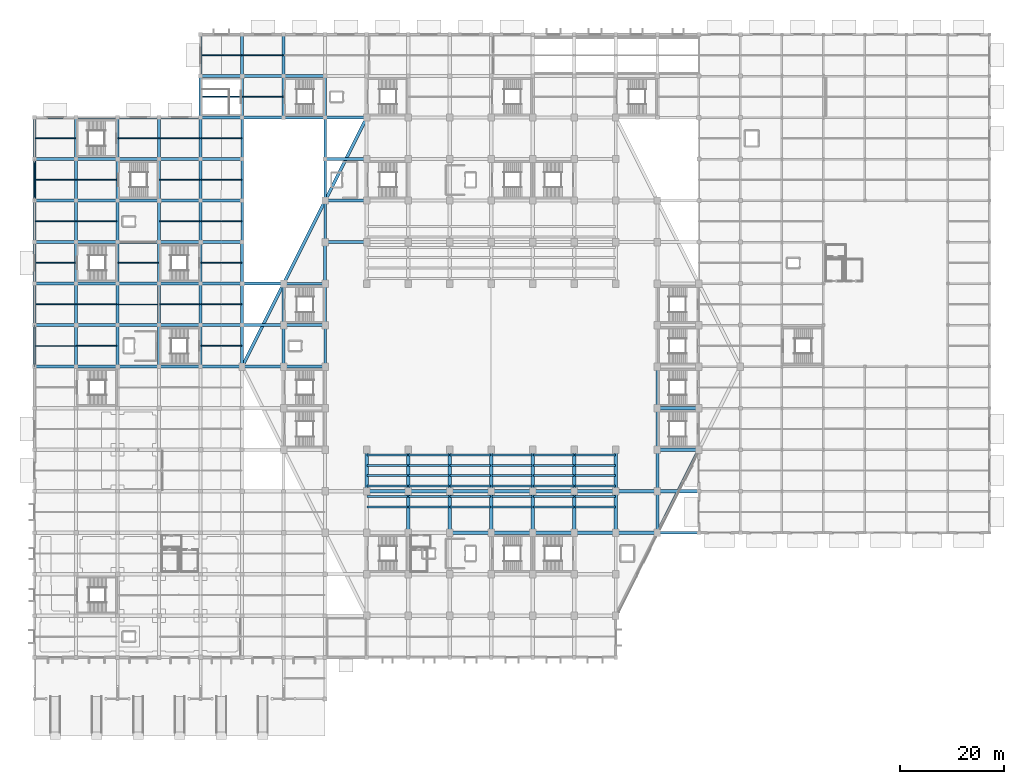
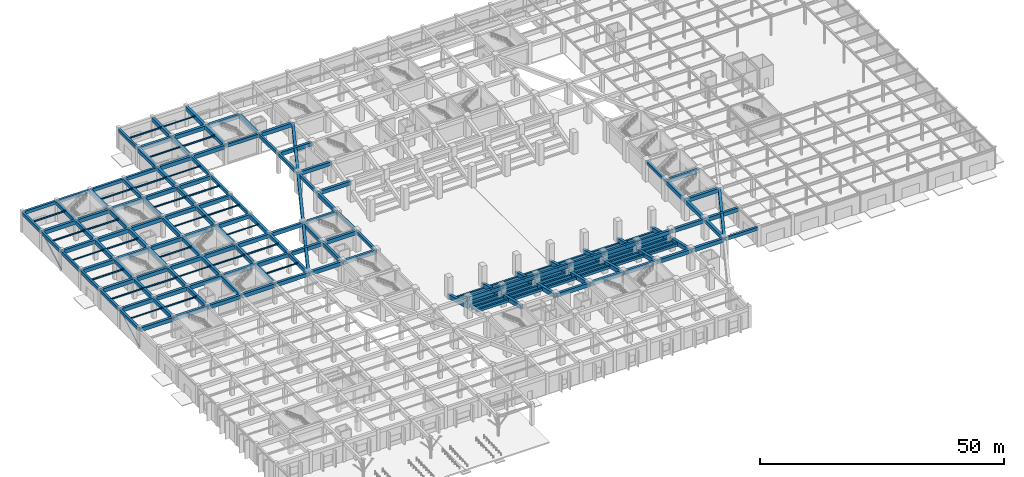
# One storey, part 12 of 39: 201 beams, 2 members.
"""IFC4 building model written with IfcOpenShell, lengths in metres."""

from ifc_helpers import new_model, si_unit, direction, frame, origin, origin_2d, place, context, subcontext, project, spatial, rectangle, hollow_rectangle, hollow_circle, i_section, extrude, material, material_profile, profile_set, type_object, element, save


model = new_model("IFC4")

# Units and contexts
model_context = context("Model", 3, precision=1e-05, world=origin(), true_north=direction((0.0, 1.0)))
body_context = subcontext(model_context, "Body", "Model", "MODEL_VIEW")
ifc_project = project(units=[si_unit("LENGTHUNIT", "METRE"), si_unit("AREAUNIT", "SQUARE_METRE"), si_unit("VOLUMEUNIT", "CUBIC_METRE"), si_unit("PLANEANGLEUNIT", "RADIAN"), si_unit("MASSUNIT", "GRAM", prefix="KILO")], contexts=[model_context])

# Site, building, storey
site_placement = place(None, origin())
site = spatial("IfcSite", under=ifc_project, at=site_placement, CompositionType="ELEMENT")
building_placement = place(site_placement, origin())
building = spatial("IfcBuilding", under=site, at=building_placement, Name="Tazarka Park Arena", CompositionType="ELEMENT")
storey_placement = place(building_placement, origin())
storey = spatial("IfcBuildingStorey", under=building, at=storey_placement, Name="L00", CompositionType="ELEMENT", Elevation=0.0)

# Beams
ifc_material_1 = material(Name="Concrete C40/50", Category="concrete")
ifc_material_profile_1 = material_profile(ifc_material_1, rectangle(XDim=0.60009765625, YDim=0.949951171875, at=origin_2d()), Name="Concrete C40/50")
ifc_profile_set_1 = profile_set([ifc_material_profile_1], Name="Concrete C40/50")
beam_type_1 = type_object("IfcBeamType", Name="BM-B-03", PredefinedType="BEAM", material=ifc_profile_set_1)
for number, where, z_axis, x_axis, name in (
    (1, (0.1201171875, 64.0, 4.544921875), (1.0, 0.0, 0.0), (0.0, 1.0, 0.0), "GXM-L00-00-08"),
    (2, (0.1201171875, 72.0, 4.544921875), (1.0, 0.0, 0.0), (0.0, 1.0, 0.0), "GXM-L00-00-09"),
    (3, (0.1201171875, 80.0, 4.544921875), (1.0, 0.0, 0.0), (0.0, 1.0, 0.0), "GXM-L00-00-10"),
    (4, (0.1201171875, 88.0, 4.544921875), (1.0, 0.0, 0.0), (0.0, 1.0, 0.0), "GXM-L00-00-11"),
    (5, (0.1201171875, 96.0, 4.544921875), (1.0, 0.0, 0.0), (0.0, 1.0, 0.0), "GXM-L00-00-12"),
    (6, (0.1201171875, 104.0, 4.544921875), (1.0, 0.0, 0.0), (0.0, 1.0, 0.0), "GXM-L00-00-13"),
    (7, (8.1201171875, 64.0, 4.544921875), (1.0, 0.0, 0.0), (0.0, 1.0, 0.0), "GXM-L00-01-08"),
    (8, (8.0, 64.1201171875, 4.544921875), (0.0, 1.0, 0.0), (-1.0, 0.0, 0.0), "GYM-L00-01-08"),
    (9, (8.1201171875, 72.0, 4.544921875), (1.0, 0.0, 0.0), (0.0, 1.0, 0.0), "GXM-L00-01-09"),
    (10, (8.0, 72.1201171875, 4.544921875), (0.0, 1.0, 0.0), (-1.0, 0.0, 0.0), "GYM-L00-01-09"),
    (11, (8.1201171875, 80.0, 4.544921875), (1.0, 0.0, 0.0), (0.0, 1.0, 0.0), "GXM-L00-01-10"),
    (12, (8.0, 80.1201171875, 4.544921875), (0.0, 1.0, 0.0), (-1.0, 0.0, 0.0), "GYM-L00-01-10"),
    (13, (8.1201171875, 88.0, 4.544921875), (1.0, 0.0, 0.0), (0.0, 1.0, 0.0), "GXM-L00-01-11"),
    (14, (8.0, 88.1201171875, 4.544921875), (0.0, 1.0, 0.0), (-1.0, 0.0, 0.0), "GYM-L00-01-11"),
    (15, (8.1201171875, 96.0, 4.544921875), (1.0, 0.0, 0.0), (0.0, 1.0, 0.0), "GXM-L00-01-12"),
    (16, (8.0, 96.1201171875, 4.544921875), (0.0, 1.0, 0.0), (-1.0, 0.0, 0.0), "GYM-L00-01-12"),
    (17, (8.1201171875, 104.0, 4.544921875), (1.0, 0.0, 0.0), (0.0, 1.0, 0.0), "GXM-L00-01-13"),
    (18, (8.0, 104.1201171875, 4.544921875), (0.0, 1.0, 0.0), (-1.0, 0.0, 0.0), "GYM-L00-01-13"),
    (19, (16.1201171875, 64.0, 4.544921875), (1.0, 0.0, 0.0), (0.0, 1.0, 0.0), "GXM-L00-02-08"),
    (20, (16.0, 64.1201171875, 4.544921875), (0.0, 1.0, 0.0), (-1.0, 0.0, 0.0), "GYM-L00-02-08"),
    (21, (16.1201171875, 72.0, 4.544921875), (1.0, 0.0, 0.0), (0.0, 1.0, 0.0), "GXM-L00-02-09"),
    (22, (16.0, 72.1201171875, 4.544921875), (0.0, 1.0, 0.0), (-1.0, 0.0, 0.0), "GYM-L00-02-09"),
    (23, (16.1201171875, 80.0, 4.544921875), (1.0, 0.0, 0.0), (0.0, 1.0, 0.0), "GXM-L00-02-10"),
    (24, (16.0, 80.1201171875, 4.544921875), (0.0, 1.0, 0.0), (-1.0, 0.0, 0.0), "GYM-L00-02-10"),
    (25, (16.1201171875, 88.0, 4.544921875), (1.0, 0.0, 0.0), (0.0, 1.0, 0.0), "GXM-L00-02-11"),
    (26, (16.0, 88.1201171875, 4.544921875), (0.0, 1.0, 0.0), (-1.0, 0.0, 0.0), "GYM-L00-02-11"),
    (27, (16.1201171875, 96.0, 4.544921875), (1.0, 0.0, 0.0), (0.0, 1.0, 0.0), "GXM-L00-02-12"),
    (28, (16.0, 96.1201171875, 4.544921875), (0.0, 1.0, 0.0), (-1.0, 0.0, 0.0), "GYM-L00-02-12"),
    (29, (16.1201171875, 104.0, 4.544921875), (1.0, 0.0, 0.0), (0.0, 1.0, 0.0), "GXM-L00-02-13"),
    (30, (16.0, 104.1201171875, 4.544921875), (0.0, 1.0, 0.0), (-1.0, 0.0, 0.0), "GYM-L00-02-13"),
    (31, (24.1201171875, 64.0, 4.544921875), (1.0, 0.0, 0.0), (0.0, 1.0, 0.0), "GXM-L00-03-08"),
    (32, (24.0, 64.1201171875, 4.544921875), (0.0, 1.0, 0.0), (-1.0, 0.0, 0.0), "GYM-L00-03-08"),
    (33, (24.1201171875, 72.0, 4.544921875), (1.0, 0.0, 0.0), (0.0, 1.0, 0.0), "GXM-L00-03-09"),
    (34, (24.0, 72.1201171875, 4.544921875), (0.0, 1.0, 0.0), (-1.0, 0.0, 0.0), "GYM-L00-03-09"),
    (35, (24.1201171875, 80.0, 4.544921875), (1.0, 0.0, 0.0), (0.0, 1.0, 0.0), "GXM-L00-03-10"),
    (36, (24.0, 80.1201171875, 4.544921875), (0.0, 1.0, 0.0), (-1.0, 0.0, 0.0), "GYM-L00-03-10"),
    (37, (24.1201171875, 88.0, 4.544921875), (1.0, 0.0, 0.0), (0.0, 1.0, 0.0), "GXM-L00-03-11"),
    (38, (24.0, 88.1201171875, 4.544921875), (0.0, 1.0, 0.0), (-1.0, 0.0, 0.0), "GYM-L00-03-11"),
    (39, (24.1201171875, 96.0, 4.544921875), (1.0, 0.0, 0.0), (0.0, 1.0, 0.0), "GXM-L00-03-12"),
    (40, (24.0, 96.1201171875, 4.544921875), (0.0, 1.0, 0.0), (-1.0, 0.0, 0.0), "GYM-L00-03-12"),
    (41, (24.1201171875, 104.0, 4.544921875), (1.0, 0.0, 0.0), (0.0, 1.0, 0.0), "GXM-L00-03-13"),
    (42, (24.0, 104.1201171875, 4.544921875), (0.0, 1.0, 0.0), (-1.0, 0.0, 0.0), "GYM-L00-03-13"),
    (43, (32.1201171875, 64.0, 4.544921875), (1.0, 0.0, 0.0), (0.0, 1.0, 0.0), "GXM-L00-04-08"),
    (44, (32.0, 64.1201171875, 4.544921875), (0.0, 1.0, 0.0), (-1.0, 0.0, 0.0), "GYM-L00-04-08"),
    (45, (32.1201171875, 72.0, 4.544921875), (1.0, 0.0, 0.0), (0.0, 1.0, 0.0), "GXM-L00-04-09"),
    (46, (32.0, 72.1201171875, 4.544921875), (0.0, 1.0, 0.0), (-1.0, 0.0, 0.0), "GYM-L00-04-09"),
    (47, (32.1201171875, 80.0, 4.544921875), (1.0, 0.0, 0.0), (0.0, 1.0, 0.0), "GXM-L00-04-10"),
    (48, (32.0, 80.1201171875, 4.544921875), (0.0, 1.0, 0.0), (-1.0, 0.0, 0.0), "GYM-L00-04-10"),
    (49, (32.1201171875, 88.0, 4.544921875), (1.0, 0.0, 0.0), (0.0, 1.0, 0.0), "GXM-L00-04-11"),
    (50, (32.0, 88.1201171875, 4.544921875), (0.0, 1.0, 0.0), (-1.0, 0.0, 0.0), "GYM-L00-04-11"),
    (51, (32.1201171875, 96.0, 4.544921875), (1.0, 0.0, 0.0), (0.0, 1.0, 0.0), "GXM-L00-04-12"),
    (52, (32.0, 96.1201171875, 4.544921875), (0.0, 1.0, 0.0), (-1.0, 0.0, 0.0), "GYM-L00-04-12"),
    (53, (32.1201171875, 104.0, 4.544921875), (1.0, 0.0, 0.0), (0.0, 1.0, 0.0), "GXM-L00-04-13"),
    (54, (32.0, 104.1201171875, 4.544921875), (0.0, 1.0, 0.0), (-1.0, 0.0, 0.0), "GYM-L00-04-13"),
    (55, (32.1201171875, 112.0, 4.544921875), (1.0, 0.0, 0.0), (0.0, 1.0, 0.0), "GXM-L00-04-14"),
    (56, (32.0, 112.1201171875, 4.544921875), (0.0, 1.0, 0.0), (-1.0, 0.0, 0.0), "GYM-L00-04-14"),
    (57, (32.1201171875, 120.0, 4.544921875), (1.0, 0.0, 0.0), (0.0, 1.0, 0.0), "GXM-L00-04-15"),
    (58, (40.1201171875, 64.0, 4.544921875), (1.0, 0.0, 0.0), (0.0, 1.0, 0.0), "GXM-L00-05-08"),
    (59, (40.0, 64.1201171875, 4.544921875), (0.0, 1.0, 0.0), (-1.0, 0.0, 0.0), "GYM-L00-05-08"),
    (60, (40.1201171875, 72.0, 4.544921875), (1.0, 0.0, 0.0), (0.0, 1.0, 0.0), "GXM-L00-05-09"),
    (61, (40.0, 72.1201171875, 4.544921875), (0.0, 1.0, 0.0), (-1.0, 0.0, 0.0), "GYM-L00-05-09"),
    (62, (40.1201171875, 80.0, 4.544921875), (1.0, 0.0, 0.0), (0.0, 1.0, 0.0), "GXM-L00-05-10"),
    (63, (40.0, 80.1201171875, 4.544921875), (0.0, 1.0, 0.0), (-1.0, 0.0, 0.0), "GYM-L00-05-10"),
    (64, (40.1201171875, 112.0, 4.544921875), (1.0, 0.0, 0.0), (0.0, 1.0, 0.0), "GXM-L00-05-14"),
    (65, (40.0, 112.1201171875, 4.544921875), (0.0, 1.0, 0.0), (-1.0, 0.0, 0.0), "GYM-L00-05-14"),
    (66, (40.1201171875, 120.0, 4.544921875), (1.0, 0.0, 0.0), (0.0, 1.0, 0.0), "GXM-L00-05-15"),
    (67, (40.0, 120.1201171875, 4.544921875), (0.0, 1.0, 0.0), (-1.0, 0.0, 0.0), "GYM-L00-05-15"),
    (68, (48.1201171875, 64.0, 4.544921875), (1.0, 0.0, 0.0), (0.0, 1.0, 0.0), "GXM-L00-06-08"),
    (69, (48.0, 64.1201171875, 4.544921875), (0.0, 1.0, 0.0), (-1.0, 0.0, 0.0), "GYM-L00-06-08"),
    (70, (48.1201171875, 72.0, 4.544921875), (1.0, 0.0, 0.0), (0.0, 1.0, 0.0), "GXM-L00-06-09"),
    (71, (48.0, 72.1201171875, 4.544921875), (0.0, 1.0, 0.0), (-1.0, 0.0, 0.0), "GYM-L00-06-09"),
    (72, (48.0, 112.1201171875, 4.544921875), (0.0, 1.0, 0.0), (-1.0, 0.0, 0.0), "GYM-L00-06-14"),
    (73, (48.1201171875, 120.0, 4.544921875), (1.0, 0.0, 0.0), (0.0, 1.0, 0.0), "GXM-L00-06-15"),
    (74, (48.0, 120.1201171875, 4.544921875), (0.0, 1.0, 0.0), (-1.0, 0.0, 0.0), "GYM-L00-06-15"),
    (75, (56.0, 80.1201171875, 4.544921875), (0.0, 1.0, 0.0), (-1.0, 0.0, 0.0), "GYM-L00-07-10"),
    (76, (56.1201171875, 88.0, 4.544921875), (1.0, 0.0, 0.0), (0.0, 1.0, 0.0), "GXM-L00-07-11"),
    (77, (56.1201171875, 96.0, 4.544921875), (1.0, 0.0, 0.0), (0.0, 1.0, 0.0), "GXM-L00-07-12"),
    (78, (56.1201171875, 104.0, 4.544921875), (1.0, 0.0, 0.0), (0.0, 1.0, 0.0), "GXM-L00-07-13"),
    (79, (56.1201171875, 112.0, 4.544921875), (1.0, 0.0, 0.0), (0.0, 1.0, 0.0), "GXM-L00-07-14"),
    (80, (56.0, 112.1201171875, 4.544921875), (0.0, 1.0, 0.0), (-1.0, 0.0, 0.0), "GYM-L00-07-14"),
    (81, (64.1201171875, 40.0, 4.544921875), (1.0, 0.0, 0.0), (0.0, 1.0, 0.0), "GXM-L00-08-05"),
    (82, (72.1201171875, 40.0, 4.544921875), (1.0, 0.0, 0.0), (0.0, 1.0, 0.0), "GXM-L00-09-05"),
    (83, (80.1201171875, 32.0, 4.544921875), (1.0, 0.0, 0.0), (0.0, 1.0, 0.0), "GXM-L00-10-04"),
    (84, (80.1201171875, 40.0, 4.544921875), (1.0, 0.0, 0.0), (0.0, 1.0, 0.0), "GXM-L00-10-05"),
    (85, (88.1201171875, 32.0, 4.544921875), (1.0, 0.0, 0.0), (0.0, 1.0, 0.0), "GXM-L00-11-04"),
    (86, (88.1201171875, 40.0, 4.544921875), (1.0, 0.0, 0.0), (0.0, 1.0, 0.0), "GXM-L00-11-05"),
    (87, (96.1201171875, 32.0, 4.544921875), (1.0, 0.0, 0.0), (0.0, 1.0, 0.0), "GXM-L00-12-04"),
    (88, (96.1201171875, 40.0, 4.544921875), (1.0, 0.0, 0.0), (0.0, 1.0, 0.0), "GXM-L00-12-05"),
    (89, (104.1201171875, 32.0, 4.544921875), (1.0, 0.0, 0.0), (0.0, 1.0, 0.0), "GXM-L00-13-04"),
    (90, (104.1201171875, 40.0, 4.544921875), (1.0, 0.0, 0.0), (0.0, 1.0, 0.0), "GXM-L00-13-05"),
    (91, (112.1201171875, 32.0, 4.544921875), (1.0, 0.0, 0.0), (0.0, 1.0, 0.0), "GXM-L00-14-04"),
    (92, (112.1201171875, 40.0, 4.544921875), (1.0, 0.0, 0.0), (0.0, 1.0, 0.0), "GXM-L00-14-05"),
    (93, (120.0, 32.1201171875, 4.544921875), (0.0, 1.0, 0.0), (-1.0, 0.0, 0.0), "GYM-L00-15-04"),
    (94, (120.1201171875, 40.0, 4.544921875), (1.0, 0.0, 0.0), (0.0, 1.0, 0.0), "GXM-L00-15-05"),
    (95, (120.0, 40.1201171875, 4.544921875), (0.0, 1.0, 0.0), (-1.0, 0.0, 0.0), "GYM-L00-15-05"),
    (96, (120.1201171875, 48.0, 4.544921875), (1.0, 0.0, 0.0), (0.0, 1.0, 0.0), "GXM-L00-15-06"),
    (97, (120.0, 48.1201171875, 4.544921875), (0.0, 1.0, 0.0), (-1.0, 0.0, 0.0), "GYM-L00-15-06"),
    (98, (120.1201171875, 56.0, 4.544921875), (1.0, 0.0, 0.0), (0.0, 1.0, 0.0), "GXM-L00-15-07"),
):
    element("IfcBeam", number, at=place(storey_placement, frame(where, z_axis=z_axis, x_axis=x_axis)), inside=storey, type_object=beam_type_1, Name=name, PredefinedType="BEAM", context=body_context, shape_type="SweptSolid", body=[
        extrude(rectangle(XDim=0.60009765625, YDim=0.949951171875, at=origin_2d()), origin(), (0.0, 0.0, 1.0), 7.759765625),
    ])
ifc_material_2 = material(Name="Steel S355", Category="steel")
ifc_material_profile_2 = material_profile(ifc_material_2, i_section(OverallWidth=0.14990234375, OverallDepth=0.300048828125, WebThickness=0.007080078125, FlangeThickness=0.0107421875, FilletRadius=0.014892578125, at=origin_2d()), Name="Steel S355")
ifc_profile_set_2 = profile_set([ifc_material_profile_2], Name="Steel S355")
beam_type_2 = type_object("IfcBeamType", Name="BM-J-01", PredefinedType="JOIST", material=ifc_profile_set_2)
for number, where, z_axis, x_axis, name in (
    (99, (0.1201171875, 68.0, 4.8701171875), (1.0, 0.0, 0.0), (0.0, 1.0, 0.0), "JST-L00-00-08"),
    (100, (0.1201171875, 92.0, 4.8701171875), (1.0, 0.0, 0.0), (0.0, 1.0, 0.0), "JST-L00-00-11"),
    (101, (16.1201171875, 76.0, 4.8701171875), (1.0, 0.0, 0.0), (0.0, 1.0, 0.0), "JST-L00-02-09"),
    (102, (24.1201171875, 92.0, 4.8701171875), (1.0, 0.0, 0.0), (0.0, 1.0, 0.0), "JST-L00-03-11"),
    (103, (32.1201171875, 84.0, 4.8701171875), (1.0, 0.0, 0.0), (0.0, 1.0, 0.0), "JST-L00-04-10"),
    (104, (32.1201171875, 108.0, 4.8701171875), (1.0, 0.0, 0.0), (0.0, 1.0, 0.0), "JST-L00-04-13"),
    (105, (40.1201171875, 124.0, 4.8701171875), (1.0, 0.0, 0.0), (0.0, 1.0, 0.0), "JST-L00-05-15"),
):
    element("IfcBeam", number, at=place(storey_placement, frame(where, z_axis=z_axis, x_axis=x_axis)), inside=storey, type_object=beam_type_2, Name=name, PredefinedType="JOIST", context=body_context, shape_type="SweptSolid", body=[
        extrude(i_section(OverallWidth=0.14990234375, OverallDepth=0.300048828125, WebThickness=0.007080078125, FlangeThickness=0.0107421875, FilletRadius=0.014892578125, at=origin_2d()), origin(), (0.0, 0.0, 1.0), 7.759765625),
    ])
ifc_material_3 = material(Name="Steel S355", Category="steel")
ifc_material_profile_3 = material_profile(ifc_material_3, i_section(OverallWidth=0.169921875, OverallDepth=0.360107421875, WebThickness=0.008056640625, FlangeThickness=0.0126953125, FilletRadius=0.01806640625, at=origin_2d()), Name="Steel S355")
ifc_profile_set_3 = profile_set([ifc_material_profile_3], Name="Steel S355")
beam_type_3 = type_object("IfcBeamType", Name="BM-J-02", PredefinedType="JOIST", material=ifc_profile_set_3)
for number, where, z_axis, x_axis, name in (
    (106, (0.1201171875, 76.0, 4.840087890625), (1.0, 0.0, 0.0), (0.0, 1.0, 0.0), "JST-L00-00-09"),
    (107, (0.1201171875, 100.0, 4.840087890625), (1.0, 0.0, 0.0), (0.0, 1.0, 0.0), "JST-L00-00-12"),
    (108, (8.1201171875, 68.0, 4.840087890625), (1.0, 0.0, 0.0), (0.0, 1.0, 0.0), "JST-L00-01-08"),
    (109, (8.1201171875, 92.0, 4.840087890625), (1.0, 0.0, 0.0), (0.0, 1.0, 0.0), "JST-L00-01-11"),
    (110, (16.1201171875, 84.0, 4.840087890625), (1.0, 0.0, 0.0), (0.0, 1.0, 0.0), "JST-L00-02-10"),
    (111, (16.1201171875, 108.0, 4.840087890625), (1.0, 0.0, 0.0), (0.0, 1.0, 0.0), "JST-L00-02-13"),
    (112, (24.1201171875, 76.0, 4.840087890625), (1.0, 0.0, 0.0), (0.0, 1.0, 0.0), "JST-L00-03-09"),
    (113, (24.1201171875, 100.0, 4.840087890625), (1.0, 0.0, 0.0), (0.0, 1.0, 0.0), "JST-L00-03-12"),
    (114, (32.1201171875, 68.0, 4.840087890625), (1.0, 0.0, 0.0), (0.0, 1.0, 0.0), "JST-L00-04-08"),
    (115, (32.1201171875, 92.0, 4.840087890625), (1.0, 0.0, 0.0), (0.0, 1.0, 0.0), "JST-L00-04-11"),
    (116, (32.1201171875, 116.0, 4.840087890625), (1.0, 0.0, 0.0), (0.0, 1.0, 0.0), "JST-L00-04-14"),
):
    element("IfcBeam", number, at=place(storey_placement, frame(where, z_axis=z_axis, x_axis=x_axis)), inside=storey, type_object=beam_type_3, Name=name, PredefinedType="JOIST", context=body_context, shape_type="SweptSolid", body=[
        extrude(i_section(OverallWidth=0.169921875, OverallDepth=0.360107421875, WebThickness=0.008056640625, FlangeThickness=0.0126953125, FilletRadius=0.01806640625, at=origin_2d()), origin(), (0.0, 0.0, 1.0), 7.759765625),
    ])
ifc_material_4 = material(Name="Steel S355", Category="steel")
ifc_material_profile_4 = material_profile(ifc_material_4, i_section(OverallWidth=0.179931640625, OverallDepth=0.39990234375, WebThickness=0.008544921875, FlangeThickness=0.013427734375, FilletRadius=0.02099609375, at=origin_2d()), Name="Steel S355")
ifc_profile_set_4 = profile_set([ifc_material_profile_4], Name="Steel S355")
beam_type_4 = type_object("IfcBeamType", Name="BM-J-03", PredefinedType="JOIST", material=ifc_profile_set_4)
for number, where, z_axis, x_axis, name in (
    (117, (0.1201171875, 84.0, 4.820068359375), (1.0, 0.0, 0.0), (0.0, 1.0, 0.0), "JST-L00-00-10"),
    (118, (0.1201171875, 108.0, 4.820068359375), (1.0, 0.0, 0.0), (0.0, 1.0, 0.0), "JST-L00-00-13"),
    (119, (8.1201171875, 76.0, 4.820068359375), (1.0, 0.0, 0.0), (0.0, 1.0, 0.0), "JST-L00-01-09"),
    (120, (8.1201171875, 100.0, 4.820068359375), (1.0, 0.0, 0.0), (0.0, 1.0, 0.0), "JST-L00-01-12"),
    (121, (24.1201171875, 108.0, 4.820068359375), (1.0, 0.0, 0.0), (0.0, 1.0, 0.0), "JST-L00-03-13"),
    (122, (32.1201171875, 76.0, 4.820068359375), (1.0, 0.0, 0.0), (0.0, 1.0, 0.0), "JST-L00-04-09"),
    (123, (32.1201171875, 100.0, 4.820068359375), (1.0, 0.0, 0.0), (0.0, 1.0, 0.0), "JST-L00-04-12"),
    (124, (32.1201171875, 124.0, 4.820068359375), (1.0, 0.0, 0.0), (0.0, 1.0, 0.0), "JST-L00-04-15"),
    (125, (40.1201171875, 116.0, 4.820068359375), (1.0, 0.0, 0.0), (0.0, 1.0, 0.0), "JST-L00-05-14"),
):
    element("IfcBeam", number, at=place(storey_placement, frame(where, z_axis=z_axis, x_axis=x_axis)), inside=storey, type_object=beam_type_4, Name=name, PredefinedType="JOIST", context=body_context, shape_type="SweptSolid", body=[
        extrude(i_section(OverallWidth=0.179931640625, OverallDepth=0.39990234375, WebThickness=0.008544921875, FlangeThickness=0.013427734375, FilletRadius=0.02099609375, at=origin_2d()), origin(), (0.0, 0.0, 1.0), 7.759765625),
    ])
ifc_material_5 = material(Name="Precast concrete C40/50", Category="concrete")
ifc_material_profile_5 = material_profile(ifc_material_5, rectangle(XDim=0.64990234375, YDim=1.0, at=origin_2d()), Name="Precast concrete C40/50")
ifc_profile_set_5 = profile_set([ifc_material_profile_5], Name="Precast concrete C40/50")
beam_type_5 = type_object("IfcBeamType", Name="BM-RK-01", PredefinedType="BEAM", material=ifc_profile_set_5)
for number, where, z_axis, x_axis, name in (
    (126, (64.0, 48.0, 0.35009765625), (0.0, -0.964206897392, 0.265151011731), (1.0, 0.0, 0.0), "RAKER RK-01-01"),
    (127, (72.0, 48.0, 0.35009765625), (0.0, -0.964206897392, 0.265151011731), (1.0, 0.0, 0.0), "RAKER RK-01-02"),
):
    element("IfcBeam", number, at=place(storey_placement, frame(where, z_axis=z_axis, x_axis=x_axis)), inside=storey, type_object=beam_type_5, Name=name, PredefinedType="BEAM", context=body_context, shape_type="SweptSolid", body=[
        extrude(rectangle(XDim=0.64990234375, YDim=1.0, at=origin_2d()), origin(), (0.0, 0.0, 1.0), 8.296875),
    ])
beam_1_placement = place(storey_placement, frame((72.0, 40.0, 2.550048828125), z_axis=(0.0, -0.97293922076, 0.231061188231), x_axis=(1.0, 0.0, 0.0)))
element("IfcBeam", 128, at=beam_1_placement, inside=storey, type_object=beam_type_5, Name="RAKER RK-01-02U", PredefinedType="BEAM", context=body_context, shape_type="SweptSolid", body=[
    extrude(rectangle(XDim=0.64990234375, YDim=1.0, at=origin_2d()), origin(), (0.0, 0.0, 1.0), 8.222412109375),
])
beam_2_placement = place(storey_placement, frame((80.0, 48.0, 0.35009765625), z_axis=(0.0, -0.964206897392, 0.265151011731), x_axis=(1.0, 0.0, 0.0)))
element("IfcBeam", 129, at=beam_2_placement, inside=storey, type_object=beam_type_5, Name="RAKER RK-01-03", PredefinedType="BEAM", context=body_context, shape_type="SweptSolid", body=[
    extrude(rectangle(XDim=0.64990234375, YDim=1.0, at=origin_2d()), origin(), (0.0, 0.0, 1.0), 8.296875),
])
beam_3_placement = place(storey_placement, frame((80.0, 40.0, 2.550048828125), z_axis=(0.0, -0.97293922076, 0.231061188231), x_axis=(1.0, 0.0, 0.0)))
element("IfcBeam", 130, at=beam_3_placement, inside=storey, type_object=beam_type_5, Name="RAKER RK-01-03U", PredefinedType="BEAM", context=body_context, shape_type="SweptSolid", body=[
    extrude(rectangle(XDim=0.64990234375, YDim=1.0, at=origin_2d()), origin(), (0.0, 0.0, 1.0), 8.222412109375),
])
beam_4_placement = place(storey_placement, frame((88.0, 48.0, 0.35009765625), z_axis=(0.0, -0.964206897392, 0.265151011731), x_axis=(1.0, 0.0, 0.0)))
element("IfcBeam", 131, at=beam_4_placement, inside=storey, type_object=beam_type_5, Name="RAKER RK-01-04", PredefinedType="BEAM", context=body_context, shape_type="SweptSolid", body=[
    extrude(rectangle(XDim=0.64990234375, YDim=1.0, at=origin_2d()), origin(), (0.0, 0.0, 1.0), 8.296875),
])
beam_5_placement = place(storey_placement, frame((88.0, 40.0, 2.550048828125), z_axis=(0.0, -0.97293922076, 0.231061188231), x_axis=(1.0, 0.0, 0.0)))
element("IfcBeam", 132, at=beam_5_placement, inside=storey, type_object=beam_type_5, Name="RAKER RK-01-04U", PredefinedType="BEAM", context=body_context, shape_type="SweptSolid", body=[
    extrude(rectangle(XDim=0.64990234375, YDim=1.0, at=origin_2d()), origin(), (0.0, 0.0, 1.0), 8.222412109375),
])
beam_6_placement = place(storey_placement, frame((96.0, 48.0, 0.35009765625), z_axis=(0.0, -0.964206897392, 0.265151011731), x_axis=(1.0, 0.0, 0.0)))
element("IfcBeam", 133, at=beam_6_placement, inside=storey, type_object=beam_type_5, Name="RAKER RK-01-05", PredefinedType="BEAM", context=body_context, shape_type="SweptSolid", body=[
    extrude(rectangle(XDim=0.64990234375, YDim=1.0, at=origin_2d()), origin(), (0.0, 0.0, 1.0), 8.296875),
])
beam_7_placement = place(storey_placement, frame((96.0, 40.0, 2.550048828125), z_axis=(0.0, -0.97293922076, 0.231061188231), x_axis=(1.0, 0.0, 0.0)))
element("IfcBeam", 134, at=beam_7_placement, inside=storey, type_object=beam_type_5, Name="RAKER RK-01-05U", PredefinedType="BEAM", context=body_context, shape_type="SweptSolid", body=[
    extrude(rectangle(XDim=0.64990234375, YDim=1.0, at=origin_2d()), origin(), (0.0, 0.0, 1.0), 8.222412109375),
])
beam_8_placement = place(storey_placement, frame((104.0, 48.0, 0.35009765625), z_axis=(0.0, -0.964206897392, 0.265151011731), x_axis=(1.0, 0.0, 0.0)))
element("IfcBeam", 135, at=beam_8_placement, inside=storey, type_object=beam_type_5, Name="RAKER RK-01-06", PredefinedType="BEAM", context=body_context, shape_type="SweptSolid", body=[
    extrude(rectangle(XDim=0.64990234375, YDim=1.0, at=origin_2d()), origin(), (0.0, 0.0, 1.0), 8.296875),
])
beam_9_placement = place(storey_placement, frame((104.0, 40.0, 2.550048828125), z_axis=(0.0, -0.97293922076, 0.231061188231), x_axis=(1.0, 0.0, 0.0)))
element("IfcBeam", 136, at=beam_9_placement, inside=storey, type_object=beam_type_5, Name="RAKER RK-01-06U", PredefinedType="BEAM", context=body_context, shape_type="SweptSolid", body=[
    extrude(rectangle(XDim=0.64990234375, YDim=1.0, at=origin_2d()), origin(), (0.0, 0.0, 1.0), 8.222412109375),
])
beam_10_placement = place(storey_placement, frame((112.0, 48.0, 0.35009765625), z_axis=(0.0, -0.964206897392, 0.265151011731), x_axis=(1.0, 0.0, 0.0)))
element("IfcBeam", 137, at=beam_10_placement, inside=storey, type_object=beam_type_5, Name="RAKER RK-01-07", PredefinedType="BEAM", context=body_context, shape_type="SweptSolid", body=[
    extrude(rectangle(XDim=0.64990234375, YDim=1.0, at=origin_2d()), origin(), (0.0, 0.0, 1.0), 8.296875),
])
beam_11_placement = place(storey_placement, frame((112.0, 40.0, 2.550048828125), z_axis=(0.0, -0.97293922076, 0.231061188231), x_axis=(1.0, 0.0, 0.0)))
element("IfcBeam", 138, at=beam_11_placement, inside=storey, type_object=beam_type_5, Name="RAKER RK-01-07U", PredefinedType="BEAM", context=body_context, shape_type="SweptSolid", body=[
    extrude(rectangle(XDim=0.64990234375, YDim=1.0, at=origin_2d()), origin(), (0.0, 0.0, 1.0), 8.222412109375),
])
ifc_material_6 = material(Name="Concrete C40/50", Category="concrete")
ifc_material_profile_6 = material_profile(ifc_material_6, rectangle(XDim=0.5, YDim=0.800048828125, at=origin_2d()), Name="Concrete C40/50")
ifc_profile_set_6 = profile_set([ifc_material_profile_6], Name="Concrete C40/50")
beam_type_6 = type_object("IfcBeamType", Name="BM-SP-01", PredefinedType="SPANDREL", material=ifc_profile_set_6)
for number, where, z_axis, x_axis, name in (
    (139, (0.0, 64.1201171875, 4.6201171875), (0.0, 1.0, 0.0), (-1.0, 0.0, 0.0), "GYM-L00-00-08"),
    (140, (0.0, 72.1201171875, 4.6201171875), (0.0, 1.0, 0.0), (-1.0, 0.0, 0.0), "GYM-L00-00-09"),
    (141, (0.0, 80.1201171875, 4.6201171875), (0.0, 1.0, 0.0), (-1.0, 0.0, 0.0), "GYM-L00-00-10"),
    (142, (0.0, 88.1201171875, 4.6201171875), (0.0, 1.0, 0.0), (-1.0, 0.0, 0.0), "GYM-L00-00-11"),
    (143, (0.0, 96.1201171875, 4.6201171875), (0.0, 1.0, 0.0), (-1.0, 0.0, 0.0), "GYM-L00-00-12"),
    (144, (0.0, 104.1201171875, 4.6201171875), (0.0, 1.0, 0.0), (-1.0, 0.0, 0.0), "GYM-L00-00-13"),
    (145, (0.1201171875, 112.0, 4.6201171875), (1.0, 0.0, 0.0), (0.0, 1.0, 0.0), "GXM-L00-00-14"),
    (146, (8.1201171875, 112.0, 4.6201171875), (1.0, 0.0, 0.0), (0.0, 1.0, 0.0), "GXM-L00-01-14"),
    (147, (16.1201171875, 112.0, 4.6201171875), (1.0, 0.0, 0.0), (0.0, 1.0, 0.0), "GXM-L00-02-14"),
    (148, (24.1201171875, 112.0, 4.6201171875), (1.0, 0.0, 0.0), (0.0, 1.0, 0.0), "GXM-L00-03-14"),
    (149, (32.0, 120.1201171875, 4.6201171875), (0.0, 1.0, 0.0), (-1.0, 0.0, 0.0), "GYM-L00-04-15"),
    (150, (40.0, 88.1201171875, 4.6201171875), (0.0, 1.0, 0.0), (-1.0, 0.0, 0.0), "GYM-L00-05-11"),
    (151, (40.0, 96.1201171875, 4.6201171875), (0.0, 1.0, 0.0), (-1.0, 0.0, 0.0), "GYM-L00-05-12"),
    (152, (40.0, 104.1201171875, 4.6201171875), (0.0, 1.0, 0.0), (-1.0, 0.0, 0.0), "GYM-L00-05-13"),
    (153, (48.1201171875, 80.0, 4.6201171875), (1.0, 0.0, 0.0), (0.0, 1.0, 0.0), "GXM-L00-06-10"),
    (154, (48.1201171875, 112.0, 4.6201171875), (1.0, 0.0, 0.0), (0.0, 1.0, 0.0), "GXM-L00-06-14"),
    (155, (56.0, 64.1201171875, 4.6201171875), (0.0, 1.0, 0.0), (-1.0, 0.0, 0.0), "GYM-L00-07-08"),
    (156, (56.0, 72.1201171875, 4.6201171875), (0.0, 1.0, 0.0), (-1.0, 0.0, 0.0), "GYM-L00-07-09"),
    (157, (56.0, 88.1201171875, 4.6201171875), (0.0, 1.0, 0.0), (-1.0, 0.0, 0.0), "GYM-L00-07-11"),
    (158, (56.0, 96.1201171875, 4.6201171875), (0.0, 1.0, 0.0), (-1.0, 0.0, 0.0), "GYM-L00-07-12"),
    (159, (56.0, 104.1201171875, 4.6201171875), (0.0, 1.0, 0.0), (-1.0, 0.0, 0.0), "GYM-L00-07-13"),
    (160, (120.1201171875, 32.0, 4.6201171875), (1.0, 0.0, 0.0), (0.0, 1.0, 0.0), "GXM-L00-15-04"),
    (161, (120.0, 56.1201171875, 4.6201171875), (0.0, 1.0, 0.0), (-1.0, 0.0, 0.0), "GYM-L00-15-07"),
):
    element("IfcBeam", number, at=place(storey_placement, frame(where, z_axis=z_axis, x_axis=x_axis)), inside=storey, type_object=beam_type_6, Name=name, PredefinedType="SPANDREL", context=body_context, shape_type="SweptSolid", body=[
        extrude(rectangle(XDim=0.5, YDim=0.800048828125, at=origin_2d()), origin(), (0.0, 0.0, 1.0), 7.759765625),
    ])
ifc_material_7 = material(Name="Concrete C40/50", Category="concrete")
ifc_material_profile_7 = material_profile(ifc_material_7, rectangle(XDim=0.60009765625, YDim=0.949951171875, at=origin_2d()), Name="Concrete C40/50")
ifc_profile_set_7 = profile_set([ifc_material_profile_7], Name="Concrete C40/50")
beam_type_7 = type_object("IfcBeamType", Name="BM-SP-03", PredefinedType="SPANDREL", material=ifc_profile_set_7)
for number, where, z_axis, x_axis, name in (
    (162, (120.0537109375, 32.107421875, 4.544921875), (0.4472135955, 0.894427191, 0.0), (-0.894427191, 0.4472135955, 0.0), "RING BEAM SP-03-L00-08"),
    (163, (63.9462890625, 111.892578125, 4.544921875), (-0.4472135955, -0.894427191, 0.0), (0.894427191, -0.4472135955, 0.0), "RING BEAM SP-03-L00-19"),
    (164, (55.9462890625, 95.892578125, 4.544921875), (-0.4472135955, -0.894427191, 0.0), (0.894427191, -0.4472135955, 0.0), "RING BEAM SP-03-L00-20"),
    (165, (47.9462890625, 79.892578125, 4.544921875), (-0.4472135955, -0.894427191, 0.0), (0.894427191, -0.4472135955, 0.0), "RING BEAM SP-03-L00-21"),
):
    element("IfcBeam", number, at=place(storey_placement, frame(where, z_axis=z_axis, x_axis=x_axis)), inside=storey, type_object=beam_type_7, Name=name, PredefinedType="SPANDREL", context=body_context, shape_type="SweptSolid", body=[
        extrude(rectangle(XDim=0.60009765625, YDim=0.949951171875, at=origin_2d()), origin(), (0.0, 0.0, 1.0), 17.6484375),
    ])
ifc_material_8 = material(Name="Precast concrete C40/50", Category="concrete")
ifc_material_profile_8 = material_profile(ifc_material_8, rectangle(XDim=0.39990234375, YDim=0.64990234375, at=origin_2d()), Name="Precast concrete C40/50")
ifc_profile_set_8 = profile_set([ifc_material_profile_8], Name="Precast concrete C40/50")
beam_type_8 = type_object("IfcBeamType", Name="BM-TB-01", PredefinedType="BEAM", material=ifc_profile_set_8)
for number, where, z_axis, x_axis, name in (
    (166, (64.10009765625, 47.0, -0.02490234375), (1.0, 0.0, 0.0), (0.0, 1.0, 0.0), "LTB-S-08-1"),
    (167, (72.10009765625, 47.0, -0.02490234375), (1.0, 0.0, 0.0), (0.0, 1.0, 0.0), "LTB-S-09-1"),
    (168, (80.10009765625, 47.0, -0.02490234375), (1.0, 0.0, 0.0), (0.0, 1.0, 0.0), "LTB-S-10-1"),
    (169, (88.10009765625, 47.0, -0.02490234375), (1.0, 0.0, 0.0), (0.0, 1.0, 0.0), "LTB-S-11-1"),
    (170, (96.10009765625, 47.0, -0.02490234375), (1.0, 0.0, 0.0), (0.0, 1.0, 0.0), "LTB-S-12-1"),
    (171, (104.10009765625, 47.0, -0.02490234375), (1.0, 0.0, 0.0), (0.0, 1.0, 0.0), "LTB-S-13-1"),
    (172, (64.10009765625, 45.0, 0.60498046875), (1.0, 0.0, 0.0), (0.0, 1.0, 0.0), "LTB-S-08-2"),
    (173, (72.10009765625, 45.0, 0.60498046875), (1.0, 0.0, 0.0), (0.0, 1.0, 0.0), "LTB-S-09-2"),
    (174, (80.10009765625, 45.0, 0.60498046875), (1.0, 0.0, 0.0), (0.0, 1.0, 0.0), "LTB-S-10-2"),
    (175, (88.10009765625, 45.0, 0.60498046875), (1.0, 0.0, 0.0), (0.0, 1.0, 0.0), "LTB-S-11-2"),
    (176, (96.10009765625, 45.0, 0.60498046875), (1.0, 0.0, 0.0), (0.0, 1.0, 0.0), "LTB-S-12-2"),
    (177, (104.10009765625, 45.0, 0.60498046875), (1.0, 0.0, 0.0), (0.0, 1.0, 0.0), "LTB-S-13-2"),
    (178, (64.10009765625, 43.0, 1.235107421875), (1.0, 0.0, 0.0), (0.0, 1.0, 0.0), "LTB-S-08-3"),
    (179, (72.10009765625, 43.0, 1.235107421875), (1.0, 0.0, 0.0), (0.0, 1.0, 0.0), "LTB-S-09-3"),
    (180, (80.10009765625, 43.0, 1.235107421875), (1.0, 0.0, 0.0), (0.0, 1.0, 0.0), "LTB-S-10-3"),
    (181, (88.10009765625, 43.0, 1.235107421875), (1.0, 0.0, 0.0), (0.0, 1.0, 0.0), "LTB-S-11-3"),
    (182, (96.10009765625, 43.0, 1.235107421875), (1.0, 0.0, 0.0), (0.0, 1.0, 0.0), "LTB-S-12-3"),
    (183, (104.10009765625, 43.0, 1.235107421875), (1.0, 0.0, 0.0), (0.0, 1.0, 0.0), "LTB-S-13-3"),
    (184, (64.10009765625, 41.0, 1.864990234375), (1.0, 0.0, 0.0), (0.0, 1.0, 0.0), "LTB-S-08-4"),
    (185, (72.10009765625, 41.0, 1.864990234375), (1.0, 0.0, 0.0), (0.0, 1.0, 0.0), "LTB-S-09-4"),
    (186, (80.10009765625, 41.0, 1.864990234375), (1.0, 0.0, 0.0), (0.0, 1.0, 0.0), "LTB-S-10-4"),
    (187, (88.10009765625, 41.0, 1.864990234375), (1.0, 0.0, 0.0), (0.0, 1.0, 0.0), "LTB-S-11-4"),
    (188, (96.10009765625, 41.0, 1.864990234375), (1.0, 0.0, 0.0), (0.0, 1.0, 0.0), "LTB-S-12-4"),
    (189, (104.10009765625, 41.0, 1.864990234375), (1.0, 0.0, 0.0), (0.0, 1.0, 0.0), "LTB-S-13-4"),
    (190, (64.10009765625, 39.0, 2.4951171875), (1.0, 0.0, 0.0), (0.0, 1.0, 0.0), "LTB-S-08-5"),
    (191, (72.10009765625, 39.0, 2.4951171875), (1.0, 0.0, 0.0), (0.0, 1.0, 0.0), "LTB-S-09-5"),
    (192, (80.10009765625, 39.0, 2.4951171875), (1.0, 0.0, 0.0), (0.0, 1.0, 0.0), "LTB-S-10-5"),
    (193, (88.10009765625, 39.0, 2.4951171875), (1.0, 0.0, 0.0), (0.0, 1.0, 0.0), "LTB-S-11-5"),
    (194, (96.10009765625, 39.0, 2.4951171875), (1.0, 0.0, 0.0), (0.0, 1.0, 0.0), "LTB-S-12-5"),
    (195, (104.10009765625, 39.0, 2.4951171875), (1.0, 0.0, 0.0), (0.0, 1.0, 0.0), "LTB-S-13-5"),
    (196, (64.10009765625, 37.0, 3.135009765625), (1.0, 0.0, 0.0), (0.0, 1.0, 0.0), "LTB-S-08-6"),
    (197, (72.10009765625, 37.0, 3.135009765625), (1.0, 0.0, 0.0), (0.0, 1.0, 0.0), "LTB-S-09-6"),
    (198, (80.10009765625, 37.0, 3.135009765625), (1.0, 0.0, 0.0), (0.0, 1.0, 0.0), "LTB-S-10-6"),
    (199, (88.10009765625, 37.0, 3.135009765625), (1.0, 0.0, 0.0), (0.0, 1.0, 0.0), "LTB-S-11-6"),
    (200, (96.10009765625, 37.0, 3.135009765625), (1.0, 0.0, 0.0), (0.0, 1.0, 0.0), "LTB-S-12-6"),
    (201, (104.10009765625, 37.0, 3.135009765625), (1.0, 0.0, 0.0), (0.0, 1.0, 0.0), "LTB-S-13-6"),
):
    element("IfcBeam", number, at=place(storey_placement, frame(where, z_axis=z_axis, x_axis=x_axis)), inside=storey, type_object=beam_type_8, Name=name, PredefinedType="BEAM", context=body_context, shape_type="SweptSolid", body=[
        extrude(rectangle(XDim=0.39990234375, YDim=0.64990234375, at=origin_2d()), origin(), (0.0, 0.0, 1.0), 7.7998046875),
    ])

# Members
ifc_material_9 = material(Name="Steel S355", Category="steel")
ifc_material_profile_9 = material_profile(ifc_material_9, hollow_circle(Radius=0.109619140625, WallThickness=0.010009765625, at=origin_2d()), Name="Steel S355")
ifc_profile_set_9 = profile_set([ifc_material_profile_9], Name="Steel S355")
member_type_1 = type_object("IfcMemberType", Name="MEM-BR-02", PredefinedType="BRACE", material=ifc_profile_set_9)
member_1_placement = place(storey_placement, frame((0.0, 64.0, 0.199951171875), z_axis=(0.0, 0.872972176335, 0.487770006607), x_axis=(-1.0, 0.0, 0.0)))
element("IfcMember", 202, at=member_1_placement, inside=storey, type_object=member_type_1, Name="BRX-L00-00", PredefinedType="BRACE", context=body_context, shape_type="SweptSolid", body=[
    extrude(hollow_circle(Radius=0.109619140625, WallThickness=0.010009765625, at=origin_2d()), origin(), (0.0, 0.0, 1.0), 9.1640625),
])
ifc_material_10 = material(Name="Steel S355", Category="steel")
ifc_material_profile_10 = material_profile(ifc_material_10, hollow_rectangle(XDim=0.199951171875, YDim=0.300048828125, WallThickness=0.012451171875, at=origin_2d()), Name="Steel S355")
ifc_profile_set_10 = profile_set([ifc_material_profile_10], Name="Steel S355")
member_type_2 = type_object("IfcMemberType", Name="MEM-BR-03", PredefinedType="BRACE", material=ifc_profile_set_10)
member_2_placement = place(storey_placement, frame((0.0, 96.0, 0.199951171875), z_axis=(0.0, 0.872972176335, 0.487770006607), x_axis=(-1.0, 0.0, 0.0)))
element("IfcMember", 203, at=member_2_placement, inside=storey, type_object=member_type_2, Name="BRX-L00-01", PredefinedType="BRACE", context=body_context, shape_type="SweptSolid", body=[
    extrude(hollow_rectangle(XDim=0.199951171875, YDim=0.300048828125, WallThickness=0.012451171875, at=origin_2d()), origin(), (0.0, 0.0, 1.0), 9.1640625),
])

save(model, "model.ifc")
